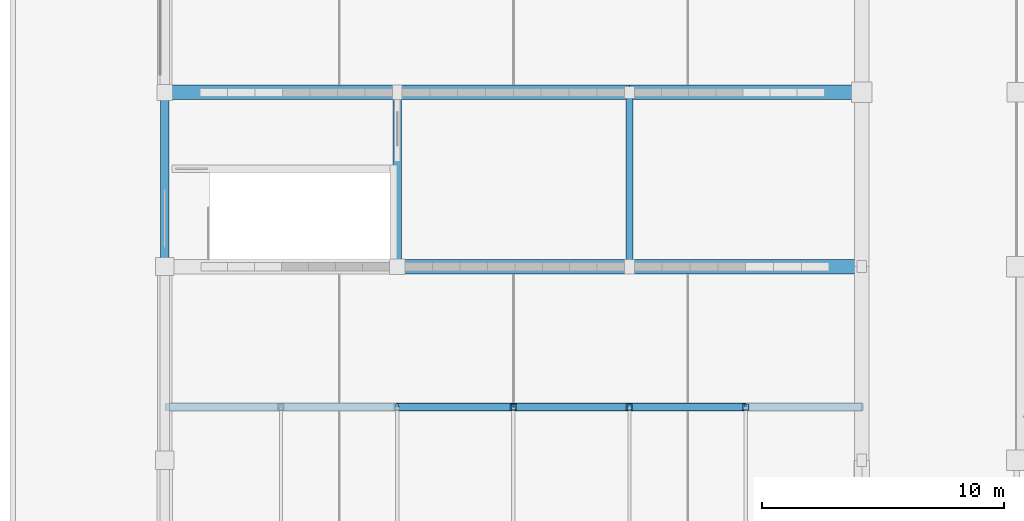
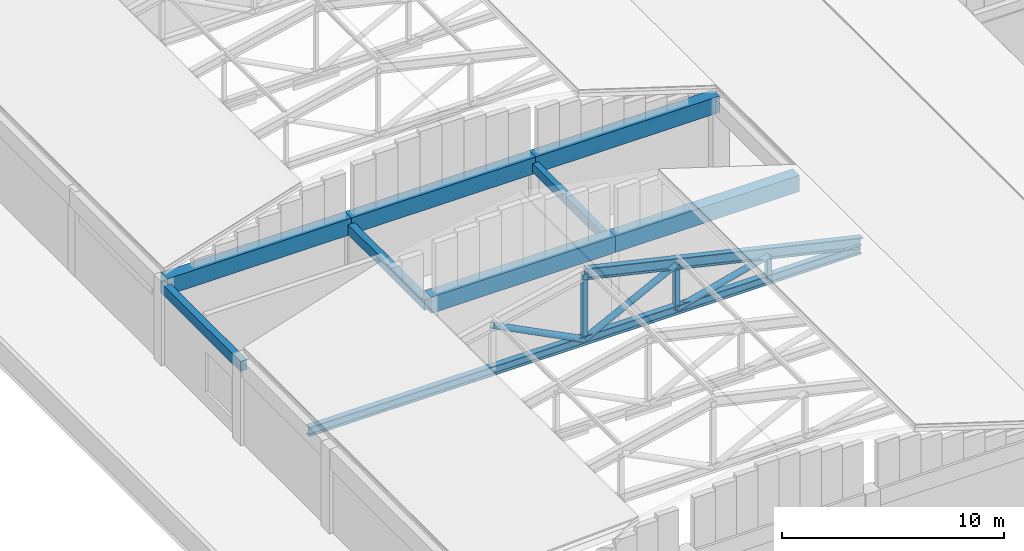
# One storey, part 4 of 61: 8 beams, 8 members.
"""IFC4 building model written with IfcOpenShell, lengths in metres."""

from ifc_helpers import new_model, si_unit, direction, frame, origin, origin_2d, place, context, subcontext, project, spatial, rectangle, hollow_rectangle, hollow_circle, i_section, extrude, material, material_profile, profile_set, type_object, element, save


model = new_model("IFC4")

# Units and contexts
model_context = context("Model", 3, precision=1e-05, world=origin(), true_north=direction((0.0, 1.0)))
body_context = subcontext(model_context, "Body", "Model", "MODEL_VIEW")
ifc_project = project(units=[si_unit("LENGTHUNIT", "METRE"), si_unit("AREAUNIT", "SQUARE_METRE"), si_unit("VOLUMEUNIT", "CUBIC_METRE"), si_unit("PLANEANGLEUNIT", "RADIAN"), si_unit("MASSUNIT", "GRAM", prefix="KILO")], contexts=[model_context])

# Site, building, storey
site_placement = place(None, origin())
site = spatial("IfcSite", under=ifc_project, at=site_placement, CompositionType="ELEMENT")
building_placement = place(site_placement, origin())
building = spatial("IfcBuilding", under=site, at=building_placement, Name="Vellmiral Cinema and Media Centre", CompositionType="ELEMENT")
storey_placement = place(building_placement, frame((0.0, 0.0, 10.800048828125)))
storey = spatial("IfcBuildingStorey", under=building, at=storey_placement, Name="L02", CompositionType="ELEMENT", Elevation=10.800048828125)

# Beams
ifc_material_1 = material(Name="Concrete C40/50", Category="concrete")
ifc_material_profile_1 = material_profile(ifc_material_1, rectangle(XDim=0.300048828125, YDim=0.5, at=origin_2d()), Name="RC 300x500")
ifc_profile_set_1 = profile_set([ifc_material_profile_1], Name="Concrete C40/50")
beam_type_1 = type_object("IfcBeamType", Name="BM-RC-300x500", PredefinedType="BEAM", material=ifc_profile_set_1)
beam_1_placement = place(storey_placement, frame((25.60009765625, 36.0, 4.244873046875), z_axis=(0.0, 1.0, 0.0), x_axis=(-1.0, 0.0, 0.0)))
element("IfcBeam", 1, at=beam_1_placement, inside=storey, type_object=beam_type_1, Name="Grid Beam L02-Y103", PredefinedType="BEAM", context=body_context, shape_type="SweptSolid", body=[
    extrude(rectangle(XDim=0.300048828125, YDim=0.5, at=origin_2d()), origin(), (0.0, 0.0, 1.0), 7.199951171875),
])
ifc_material_2 = material(Name="Concrete C40/50", Category="concrete")
ifc_material_profile_2 = material_profile(ifc_material_2, rectangle(XDim=0.35009765625, YDim=0.550048828125, at=origin_2d()), Name="RC 350x550")
ifc_profile_set_2 = profile_set([ifc_material_profile_2], Name="Concrete C40/50")
beam_type_2 = type_object("IfcBeamType", Name="BM-RC-350x550", PredefinedType="BEAM", material=ifc_profile_set_2)
beam_2_placement = place(storey_placement, frame((16.0, 36.0, 4.219970703125), z_axis=(0.0, 1.0, 0.0), x_axis=(-1.0, 0.0, 0.0)))
element("IfcBeam", 2, at=beam_2_placement, inside=storey, type_object=beam_type_2, Name="Grid Beam L02-Y101", PredefinedType="BEAM", context=body_context, shape_type="SweptSolid", body=[
    extrude(rectangle(XDim=0.35009765625, YDim=0.550048828125, at=origin_2d()), origin(), (0.0, 0.0, 1.0), 7.199951171875),
])
ifc_material_3 = material(Name="Concrete C40/50", Category="concrete")
ifc_material_profile_3 = material_profile(ifc_material_3, rectangle(XDim=0.60009765625, YDim=0.89990234375, at=origin_2d()), Name="RC 600x900")
ifc_profile_set_3 = profile_set([ifc_material_profile_3], Name="Concrete C40/50")
beam_type_3 = type_object("IfcBeamType", Name="RING-BM-600x900", PredefinedType="BEAM", material=ifc_profile_set_3)
beam_3_placement = place(storey_placement, frame((16.0, 36.0, 4.349853515625), z_axis=(1.0, 0.0, 0.0), x_axis=(0.0, 1.0, 0.0)))
element("IfcBeam", 3, at=beam_3_placement, inside=storey, type_object=beam_type_3, Name="Cinema Screen 1 Ring Beam 05", PredefinedType="BEAM", context=body_context, shape_type="SweptSolid", body=[
    extrude(rectangle(XDim=0.60009765625, YDim=0.89990234375, at=origin_2d()), origin(), (0.0, 0.0, 1.0), 9.60009765625),
])
beam_4_placement = place(storey_placement, frame((25.60009765625, 36.0, 4.349853515625), z_axis=(1.0, 0.0, 0.0), x_axis=(0.0, 1.0, 0.0)))
element("IfcBeam", 4, at=beam_4_placement, inside=storey, type_object=beam_type_3, Name="Cinema Screen 1 Ring Beam 06", PredefinedType="BEAM", context=body_context, shape_type="SweptSolid", body=[
    extrude(rectangle(XDim=0.60009765625, YDim=0.89990234375, at=origin_2d()), origin(), (0.0, 0.0, 1.0), 9.599853515625),
])
for number, where, z_axis, x_axis, name in (
    (5, (6.39990234375, 43.199951171875, 4.349853515625), (1.0, 0.0, 0.0), (0.0, 1.0, 0.0), "Cinema Screen 2 Ring Beam 01"),
    (6, (16.0, 43.199951171875, 4.349853515625), (1.0, 0.0, 0.0), (0.0, 1.0, 0.0), "Cinema Screen 2 Ring Beam 02"),
):
    element("IfcBeam", number, at=place(storey_placement, frame(where, z_axis=z_axis, x_axis=x_axis)), inside=storey, type_object=beam_type_3, Name=name, PredefinedType="BEAM", context=body_context, shape_type="SweptSolid", body=[
        extrude(rectangle(XDim=0.60009765625, YDim=0.89990234375, at=origin_2d()), origin(), (0.0, 0.0, 1.0), 9.60009765625),
    ])
beam_5_placement = place(storey_placement, frame((25.60009765625, 43.199951171875, 4.349853515625), z_axis=(1.0, 0.0, 0.0), x_axis=(0.0, 1.0, 0.0)))
element("IfcBeam", 7, at=beam_5_placement, inside=storey, type_object=beam_type_3, Name="Cinema Screen 2 Ring Beam 03", PredefinedType="BEAM", context=body_context, shape_type="SweptSolid", body=[
    extrude(rectangle(XDim=0.60009765625, YDim=0.89990234375, at=origin_2d()), origin(), (0.0, 0.0, 1.0), 9.599853515625),
])
ifc_material_4 = material(Name="Concrete C40/50", Category="concrete")
ifc_material_profile_4 = material_profile(ifc_material_4, rectangle(XDim=0.35009765625, YDim=0.56005859375, at=origin_2d()), Name="RC 350x560")
ifc_profile_set_4 = profile_set([ifc_material_profile_4], Name="Concrete C40/50")
beam_type_4 = type_object("IfcBeamType", Name="SPD-RC-350x560", PredefinedType="SPANDREL", material=ifc_profile_set_4)
beam_6_placement = place(storey_placement, frame((6.39990234375, 36.0, 4.21484375), z_axis=(0.0, 1.0, 0.0), x_axis=(-1.0, 0.0, 0.0)))
element("IfcBeam", 8, at=beam_6_placement, inside=storey, type_object=beam_type_4, Name="Grid Beam L02-Y099", PredefinedType="SPANDREL", context=body_context, shape_type="SweptSolid", body=[
    extrude(rectangle(XDim=0.35009765625, YDim=0.56005859375, at=origin_2d()), origin(), (0.0, 0.0, 1.0), 7.199951171875),
])

# Members
ifc_material_5 = material(Name="Steel S355", Category="steel")
ifc_material_profile_5 = material_profile(ifc_material_5, hollow_circle(Radius=0.161865234375, WallThickness=0.012451171875, at=origin_2d()), Name="CHS 323.9x12.5")
ifc_profile_set_5 = profile_set([ifc_material_profile_5], Name="Steel S355")
member_type_1 = type_object("IfcMemberType", Name="TBR-CHS324", PredefinedType="BRACE", material=ifc_profile_set_5)
for number, where, z_axis, x_axis, name in (
    (9, (16.0, 30.199951171875, 6.598388671875), (0.890800795993, 0.0, -0.454394038097), (0.0, 1.0, 0.0), "Roof Truss TR-01.3 Diagonal 3"),
    (10, (20.800048828125, 30.199951171875, 4.14990234375), (0.890800795993, 0.0, 0.454394038097), (0.0, 1.0, 0.0), "Roof Truss TR-01.3 Diagonal 4"),
):
    element("IfcMember", number, at=place(storey_placement, frame(where, z_axis=z_axis, x_axis=x_axis)), inside=storey, type_object=member_type_1, Name=name, PredefinedType="BRACE", context=body_context, shape_type="SweptSolid", body=[
        extrude(hollow_circle(Radius=0.161865234375, WallThickness=0.012451171875, at=origin_2d()), origin(), (0.0, 0.0, 1.0), 5.388427734375),
    ])
member_1_placement = place(storey_placement, frame((25.60009765625, 30.199951171875, 4.14990234375), z_axis=(0.967625634568, 0.0, 0.252389839983), x_axis=(0.0, 1.0, 0.0)))
element("IfcMember", 11, at=member_1_placement, inside=storey, type_object=member_type_1, Name="Roof Truss TR-01.3 Diagonal 5", PredefinedType="BRACE", context=body_context, shape_type="SweptSolid", body=[
    extrude(hollow_circle(Radius=0.161865234375, WallThickness=0.012451171875, at=origin_2d()), origin(), (0.0, 0.0, 1.0), 4.96044921875),
])
ifc_material_6 = material(Name="Steel S355", Category="steel")
ifc_material_profile_6 = material_profile(ifc_material_6, hollow_rectangle(XDim=0.25, YDim=0.25, WallThickness=0.012451171875, at=origin_2d()), Name="SHS 250x250x12.5")
ifc_profile_set_6 = profile_set([ifc_material_profile_6], Name="Steel S355")
member_type_2 = type_object("IfcMemberType", Name="TBR-SHS250", PredefinedType="BRACE", material=ifc_profile_set_6)
member_2_placement = place(storey_placement, frame((20.800048828125, 30.199951171875, 4.14990234375), z_axis=(0.0, 0.0, 1.0), x_axis=(1.0, 0.0, 0.0)))
element("IfcMember", 12, at=member_2_placement, inside=storey, type_object=member_type_2, Name="Roof Truss TR-01.3 Post 3", PredefinedType="BRACE", context=body_context, shape_type="SweptSolid", body=[
    extrude(hollow_rectangle(XDim=0.25, YDim=0.25, WallThickness=0.012451171875, at=origin_2d()), origin(), (0.0, 0.0, 1.0), 3.645263671875),
])
member_3_placement = place(storey_placement, frame((25.60009765625, 30.199951171875, 4.14990234375), z_axis=(0.0, 0.0, 1.0), x_axis=(1.0, 0.0, 0.0)))
element("IfcMember", 13, at=member_3_placement, inside=storey, type_object=member_type_2, Name="Roof Truss TR-01.3 Post 4", PredefinedType="BRACE", context=body_context, shape_type="SweptSolid", body=[
    extrude(hollow_rectangle(XDim=0.25, YDim=0.25, WallThickness=0.012451171875, at=origin_2d()), origin(), (0.0, 0.0, 1.0), 2.448486328125),
])
member_4_placement = place(storey_placement, frame((30.39990234375, 30.199951171875, 4.14990234375), z_axis=(0.0, 0.0, 1.0), x_axis=(1.0, 0.0, 0.0)))
element("IfcMember", 14, at=member_4_placement, inside=storey, type_object=member_type_2, Name="Roof Truss TR-01.3 Post 5", PredefinedType="BRACE", context=body_context, shape_type="SweptSolid", body=[
    extrude(hollow_rectangle(XDim=0.25, YDim=0.25, WallThickness=0.012451171875, at=origin_2d()), origin(), (0.0, 0.0, 1.0), 1.251953125),
])
ifc_material_7 = material(Name="Steel S355", Category="steel")
ifc_material_profile_7 = material_profile(ifc_material_7, i_section(OverallWidth=0.300048828125, OverallDepth=0.5, WebThickness=0.014404296875, FlangeThickness=0.028076171875, FilletRadius=0.027099609375, at=origin_2d()), Name="HEB 500")
ifc_profile_set_7 = profile_set([ifc_material_profile_7], Name="Steel S355")
member_type_3 = type_object("IfcMemberType", Name="TCH-HEB500", PredefinedType="CHORD", material=ifc_profile_set_7)
member_5_placement = place(storey_placement, frame((6.39990234375, 30.199951171875, 4.14990234375), z_axis=(1.0, 0.0, 0.0), x_axis=(0.0, 1.0, 0.0)))
element("IfcMember", 15, at=member_5_placement, inside=storey, type_object=member_type_3, Name="Roof Truss TR-01.3 Bottom Chord", PredefinedType="CHORD", context=body_context, shape_type="SweptSolid", body=[
    extrude(i_section(OverallWidth=0.300048828125, OverallDepth=0.5, WebThickness=0.014404296875, FlangeThickness=0.028076171875, FilletRadius=0.027099609375, at=origin_2d()), origin(), (0.0, 0.0, 1.0), 28.800048828125),
])
ifc_material_8 = material(Name="Steel S355", Category="steel")
ifc_material_profile_8 = material_profile(ifc_material_8, i_section(OverallWidth=0.300048828125, OverallDepth=0.60009765625, WebThickness=0.015380859375, FlangeThickness=0.030029296875, FilletRadius=0.027099609375, at=origin_2d()), Name="HEB 600")
ifc_profile_set_8 = profile_set([ifc_material_profile_8], Name="Steel S355")
member_type_4 = type_object("IfcMemberType", Name="TCH-HEB600", PredefinedType="CHORD", material=ifc_profile_set_8)
member_6_placement = place(storey_placement, frame((20.800048828125, 30.199951171875, 7.795166015625), z_axis=(0.974359446069, 0.0, -0.224997044106), x_axis=(0.0, 1.0, 0.0)))
element("IfcMember", 16, at=member_6_placement, inside=storey, type_object=member_type_4, Name="Roof Truss TR-01.3 Top Chord E", PredefinedType="CHORD", context=body_context, shape_type="SweptSolid", body=[
    extrude(i_section(OverallWidth=0.300048828125, OverallDepth=0.60009765625, WebThickness=0.015380859375, FlangeThickness=0.030029296875, FilletRadius=0.027099609375, at=origin_2d()), origin(), (0.0, 0.0, 1.0), 14.77880859375),
])

save(model, "model.ifc")
